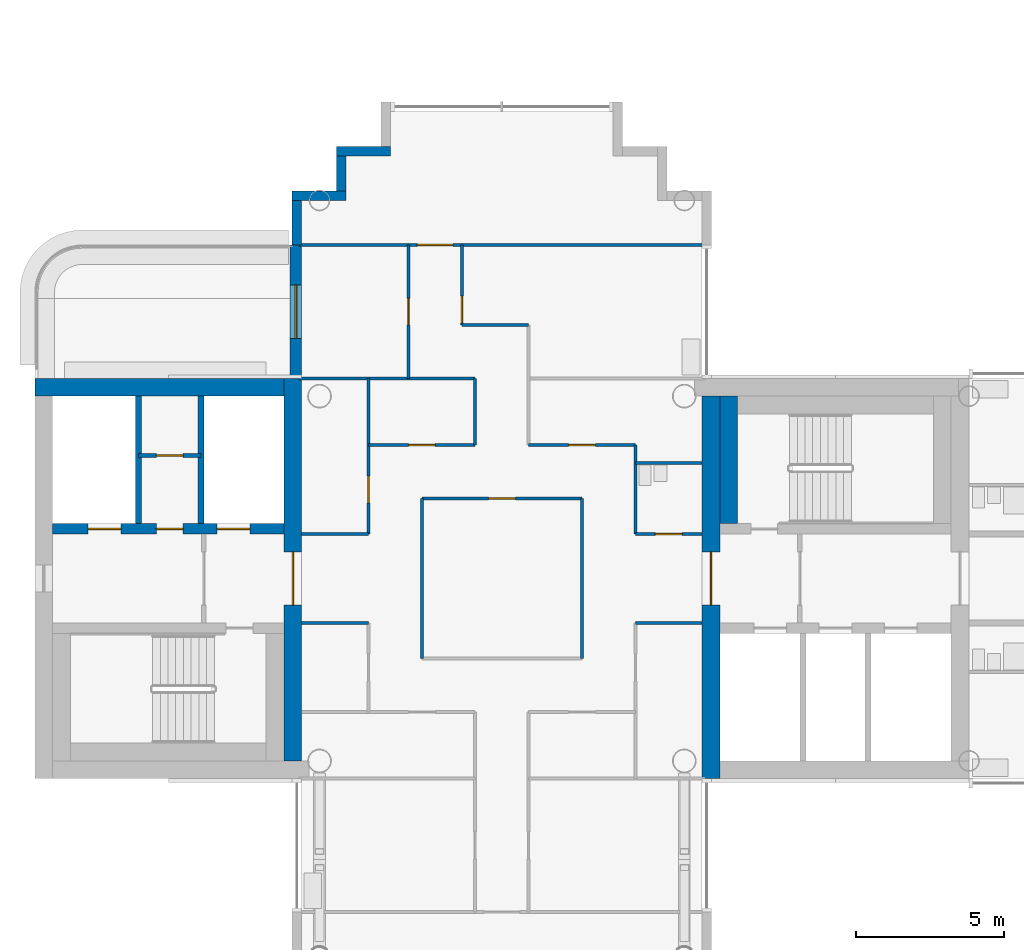
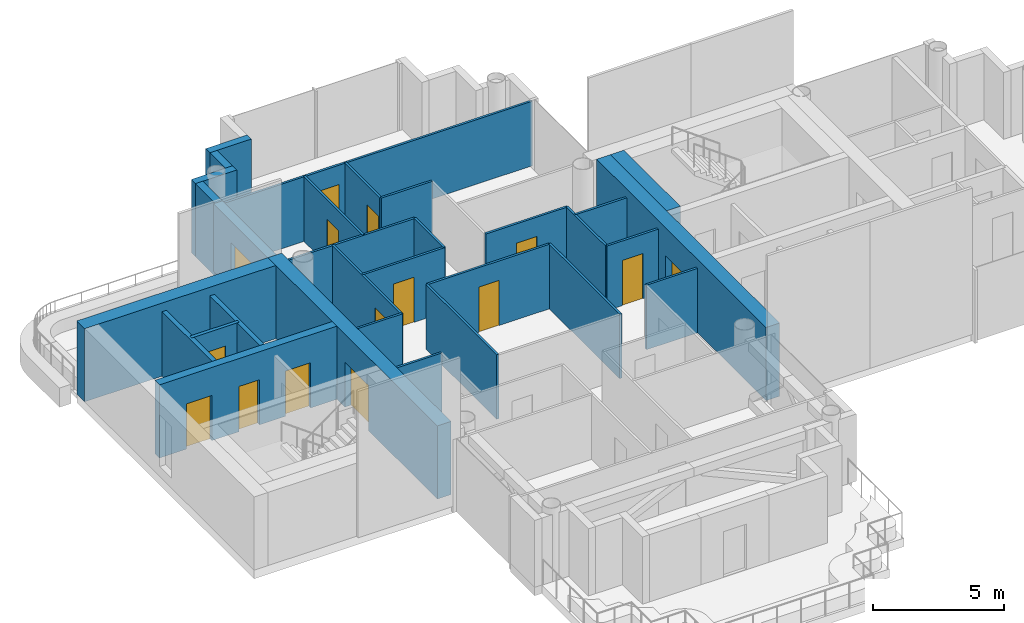
# One storey, part 8 of 19: 31 walls, 15 doors, 15 openings.
"""IFC4 building model written with IfcOpenShell, lengths in metres."""

from ifc_helpers import new_model, si_unit, direction, frame, frame_2d, origin, place, context, subcontext, project, spatial, rectangle, extrude, material, layer, layer_set, type_object, element, fill, save


model = new_model("IFC4")

# Units and contexts
model_context = context("Model", 3, precision=1e-05, world=origin(), true_north=direction((0.0, 1.0)))
body_context = subcontext(model_context, "Body", "Model", "MODEL_VIEW")
ifc_project = project(units=[si_unit("LENGTHUNIT", "METRE"), si_unit("AREAUNIT", "SQUARE_METRE"), si_unit("VOLUMEUNIT", "CUBIC_METRE"), si_unit("PLANEANGLEUNIT", "RADIAN"), si_unit("MASSUNIT", "GRAM", prefix="KILO")], contexts=[model_context])

# Site, building, storey
site_placement = place(None, origin())
site = spatial("IfcSite", under=ifc_project, at=site_placement, CompositionType="ELEMENT")
building_placement = place(site_placement, origin())
building = spatial("IfcBuilding", under=site, at=building_placement, Name="Ipe Terrace Towers", CompositionType="ELEMENT")
storey_placement = place(building_placement, frame((0.0, 0.0, 185.800048828125)))
storey = spatial("IfcBuildingStorey", under=building, at=storey_placement, Name="L51", CompositionType="ELEMENT", Elevation=185.800048828125)

# Wall, opening, door
ifc_material_1 = material(Name="Concrete C40/50 with buff precast cladding", Category="concrete")
ifc_layer_1 = layer(ifc_material_1, 0.39990234375)
ifc_layer_set_1 = layer_set([ifc_layer_1], Name="BALCONY BAY WALL 400")
wall_type_1 = type_object("IfcWallType", Name="BALCONY BAY WALL 400", PredefinedType="STANDARD", material=ifc_layer_set_1)
wall_1_placement = place(storey_placement, frame((-42.949951171875, 11.25, -0.02001953125), z_axis=(0.0, 0.0, 1.0), x_axis=(0.0, -1.0, 0.0)))
wall_1 = element("IfcWall", 1, at=wall_1_placement, inside=storey, type_object=wall_type_1, Name="T1-W-L51-40a wall", PredefinedType="STANDARD", context=body_context, shape_type="SweptSolid", body=[
    extrude(rectangle(XDim=4.5, YDim=0.39990234375, at=frame_2d((2.25, 0.0))), origin(), (0.0, 0.0, 1.0), 3.119873046875),
])
opening_1_placement = place(wall_1_placement, frame((1.35009765625, 0.0, 0.02001953125)))
opening_1 = element("IfcOpeningElement", 2, at=opening_1_placement, cuts=wall_1, Name="Opening T1-D-L51-40", PredefinedType="OPENING", context=body_context, shape_type="SweptSolid", body=[
    extrude(rectangle(XDim=1.800048828125, YDim=2.10009765625, at=frame_2d((0.89990234375, 1.050048828125))), frame((0.0, 0.2099609375, 0.0), z_axis=(0.0, -1.0, 0.0), x_axis=(1.0, 0.0, 0.0)), (0.0, 0.0, 1.0), 0.419921875),
])
ifc_material_2 = material(Name="Aluminium alloy 6063-T6 framed glazed door", Category="aluminium")
door_type_1 = type_object("IfcDoorType", Name="BALCONY DOOR 1800 x 2100 LEFT", OperationType="SINGLE_SWING_LEFT", PredefinedType="DOOR", material=ifc_material_2)
door_1_placement = place(opening_1_placement, origin())
door_1 = element("IfcDoor", 3, at=door_1_placement, inside=storey, type_object=door_type_1, Name="DB1 door", OperationType="SINGLE_SWING_LEFT", OverallHeight=2.10009765625, OverallWidth=1.800048828125, PredefinedType="DOOR", context=body_context, shape_type="SweptSolid", body=[
    extrude(rectangle(XDim=1.800048828125, YDim=2.10009765625, at=frame_2d((0.89990234375, 1.050048828125))), frame((0.0, 0.02490234375, 0.0), z_axis=(0.0, -1.0, 0.0), x_axis=(1.0, 0.0, 0.0)), (0.0, 0.0, 1.0), 0.050048828125),
])
fill(opening_1, door_1)

# Walls
ifc_material_3 = material(Name="Concrete C40/50 with buff precast cladding", Category="concrete")
ifc_layer_2 = layer(ifc_material_3, 0.320068359375)
ifc_layer_set_2 = layer_set([ifc_layer_2], Name="BUFF CLADDING WALL 320")
wall_type_2 = type_object("IfcWallType", Name="BUFF CLADDING WALL 320", PredefinedType="STANDARD", material=ifc_layer_set_2)
wall_2_placement = place(storey_placement, frame((-39.75, 14.409912109375, -0.300048828125), z_axis=(0.0, 0.0, 1.0), x_axis=(-1.0, 0.0, 0.0)))
element("IfcWall", 4, at=wall_2_placement, inside=storey, type_object=wall_type_2, Name="T1-W-L51-36a wall", PredefinedType="STANDARD", context=body_context, shape_type="SweptSolid", body=[
    extrude(rectangle(XDim=1.820068359375, YDim=0.320068359375, at=frame_2d((0.91015625, 0.0))), origin(), (0.0, 0.0, 1.0), 3.39990234375),
])
wall_3_placement = place(storey_placement, frame((-41.409912109375, 14.25, -0.300048828125), z_axis=(0.0, 0.0, 1.0), x_axis=(0.0, -1.0, 0.0)))
element("IfcWall", 5, at=wall_3_placement, inside=storey, type_object=wall_type_2, Name="T1-W-L51-37a wall", PredefinedType="STANDARD", context=body_context, shape_type="SweptSolid", body=[
    extrude(rectangle(XDim=1.179931640625, YDim=0.320068359375, at=frame_2d((0.58984375, 0.0))), origin(), (0.0, 0.0, 1.0), 3.39990234375),
])
wall_4_placement = place(storey_placement, frame((-41.25, 12.909912109375, -0.300048828125), z_axis=(0.0, 0.0, 1.0), x_axis=(-1.0, 0.0, 0.0)))
element("IfcWall", 6, at=wall_4_placement, inside=storey, type_object=wall_type_2, Name="T1-W-L51-38a wall", PredefinedType="STANDARD", context=body_context, shape_type="SweptSolid", body=[
    extrude(rectangle(XDim=1.820068359375, YDim=0.320068359375, at=frame_2d((0.91015625, 0.0))), origin(), (0.0, 0.0, 1.0), 3.39990234375),
])
wall_5_placement = place(storey_placement, frame((-42.909912109375, 12.75, -0.300048828125), z_axis=(0.0, 0.0, 1.0), x_axis=(0.0, -1.0, 0.0)))
element("IfcWall", 7, at=wall_5_placement, inside=storey, type_object=wall_type_2, Name="T1-W-L51-39a wall", PredefinedType="STANDARD", context=body_context, shape_type="SweptSolid", body=[
    extrude(rectangle(XDim=1.5, YDim=0.320068359375, at=frame_2d((0.75, 0.0))), origin(), (0.0, 0.0, 1.0), 3.39990234375),
])

# Wall, opening, door
ifc_material_4 = material(Name="Gypsum board partition", Category="plasterboard")
ifc_layer_3 = layer(ifc_material_4, 0.10009765625)
ifc_layer_set_3 = layer_set([ifc_layer_3], Name="Gypsum board partition 100 mm")
wall_type_3 = type_object("IfcWallType", Name="Gypsum board partition 100 mm", PredefinedType="PARTITIONING", material=ifc_layer_set_3)
wall_6_placement = place(storey_placement, frame((-40.5, 1.5, 0.0), z_axis=(0.0, 0.0, 1.0), x_axis=(0.0, 1.0, 0.0)))
wall_6 = element("IfcWall", 8, at=wall_6_placement, inside=storey, type_object=wall_type_3, Name="Gypsum board partition T1 L51 W02", PredefinedType="PARTITIONING", context=body_context, shape_type="SweptSolid", body=[
    extrude(rectangle(XDim=5.25, YDim=0.10009765625, at=frame_2d((2.625, 0.0))), origin(), (0.0, 0.0, 1.0), 3.0),
])
opening_2_placement = place(wall_6_placement, frame((1.050048828125, 0.0, 0.0)))
opening_2 = element("IfcOpeningElement", 9, at=opening_2_placement, cuts=wall_6, Name="Opening T1-Z4C-05", PredefinedType="OPENING", context=body_context, shape_type="SweptSolid", body=[
    extrude(rectangle(XDim=0.89990234375, YDim=2.10009765625, at=frame_2d((0.449951171875, 1.050048828125))), frame((0.0, 0.06005859375, 0.0), z_axis=(0.0, -1.0, 0.0), x_axis=(1.0, 0.0, 0.0)), (0.0, 0.0, 1.0), 0.1201171875),
])
ifc_material_5 = material(Name="Timber door leaf", Category="wood")
door_type_2 = type_object("IfcDoorType", Name="Lounge door 900 x 2100", OperationType="NOTDEFINED", PredefinedType="DOOR", material=ifc_material_5)
door_2_placement = place(opening_2_placement, origin())
door_2 = element("IfcDoor", 10, at=door_2_placement, inside=storey, type_object=door_type_2, Name="Lounge door T1-Z4C-05", OperationType="SINGLE_SWING_RIGHT", OverallHeight=2.10009765625, OverallWidth=0.89990234375, PredefinedType="DOOR", context=body_context, shape_type="SweptSolid", body=[
    extrude(rectangle(XDim=0.89990234375, YDim=2.10009765625, at=frame_2d((0.449951171875, 1.050048828125))), frame((0.0, 0.02490234375, 0.0), z_axis=(0.0, -1.0, 0.0), x_axis=(1.0, 0.0, 0.0)), (0.0, 0.0, 1.0), 0.050048828125),
])
fill(opening_2, door_2)

wall_7_placement = place(storey_placement, frame((-39.14990234375, 6.75, 0.0), z_axis=(0.0, 0.0, 1.0), x_axis=(0.0, 1.0, 0.0)))
wall_7 = element("IfcWall", 11, at=wall_7_placement, inside=storey, type_object=wall_type_3, Name="Gypsum board partition T1 L51 W03", PredefinedType="PARTITIONING", context=body_context, shape_type="SweptSolid", body=[
    extrude(rectangle(XDim=4.5, YDim=0.10009765625, at=frame_2d((2.25, 0.0))), origin(), (0.0, 0.0, 1.0), 3.0),
])
opening_3_placement = place(wall_7_placement, frame((1.800048828125, 0.0, 0.0)))
opening_3 = element("IfcOpeningElement", 12, at=opening_3_placement, cuts=wall_7, Name="Opening T1-Z4C-10", PredefinedType="OPENING", context=body_context, shape_type="SweptSolid", body=[
    extrude(rectangle(XDim=0.89990234375, YDim=2.10009765625, at=frame_2d((0.449951171875, 1.050048828125))), frame((0.0, 0.06005859375, 0.0), z_axis=(0.0, -1.0, 0.0), x_axis=(1.0, 0.0, 0.0)), (0.0, 0.0, 1.0), 0.1201171875),
])
door_3_placement = place(opening_3_placement, origin())
door_3 = element("IfcDoor", 13, at=door_3_placement, inside=storey, type_object=door_type_2, Name="Lounge door T1-Z4C-10", OperationType="SINGLE_SWING_LEFT", OverallHeight=2.10009765625, OverallWidth=0.89990234375, PredefinedType="DOOR", context=body_context, shape_type="SweptSolid", body=[
    extrude(rectangle(XDim=0.89990234375, YDim=2.10009765625, at=frame_2d((0.449951171875, 1.050048828125))), frame((0.0, 0.02490234375, 0.0), z_axis=(0.0, -1.0, 0.0), x_axis=(1.0, 0.0, 0.0)), (0.0, 0.0, 1.0), 0.050048828125),
])
fill(opening_3, door_3)

# Wall
wall_8_placement = place(storey_placement, frame((-38.699951171875, -2.699951171875, 0.0), z_axis=(0.0, 0.0, 1.0), x_axis=(0.0, 1.0, 0.0)))
element("IfcWall", 14, at=wall_8_placement, inside=storey, type_object=wall_type_3, Name="Gypsum board partition T1 L51 W04", PredefinedType="PARTITIONING", context=body_context, shape_type="SweptSolid", body=[
    extrude(rectangle(XDim=5.39990234375, YDim=0.10009765625, at=frame_2d((2.699951171875, 0.0))), origin(), (0.0, 0.0, 1.0), 3.0),
])

# Wall, opening, door
wall_9_placement = place(storey_placement, frame((-37.35009765625, 8.550048828125, 0.0), z_axis=(0.0, 0.0, 1.0), x_axis=(0.0, 1.0, 0.0)))
wall_9 = element("IfcWall", 15, at=wall_9_placement, inside=storey, type_object=wall_type_3, Name="Gypsum board partition T1 L51 W05", PredefinedType="PARTITIONING", context=body_context, shape_type="SweptSolid", body=[
    extrude(rectangle(XDim=2.699951171875, YDim=0.10009765625, at=frame_2d((1.35009765625, 0.0))), origin(), (0.0, 0.0, 1.0), 3.0),
])
opening_4_placement = place(wall_9_placement, frame((0.070068359375, 0.0, 0.0)))
opening_4 = element("IfcOpeningElement", 16, at=opening_4_placement, cuts=wall_9, Name="Opening T1-Z4C-11", PredefinedType="OPENING", context=body_context, shape_type="SweptSolid", body=[
    extrude(rectangle(XDim=0.89990234375, YDim=2.10009765625, at=frame_2d((0.449951171875, 1.050048828125))), frame((0.0, 0.06005859375, 0.0), z_axis=(0.0, -1.0, 0.0), x_axis=(1.0, 0.0, 0.0)), (0.0, 0.0, 1.0), 0.1201171875),
])
door_4_placement = place(opening_4_placement, origin())
door_4 = element("IfcDoor", 17, at=door_4_placement, inside=storey, type_object=door_type_2, Name="Lounge door T1-Z4C-11", OperationType="SINGLE_SWING_LEFT", OverallHeight=2.10009765625, OverallWidth=0.89990234375, PredefinedType="DOOR", context=body_context, shape_type="SweptSolid", body=[
    extrude(rectangle(XDim=0.89990234375, YDim=2.10009765625, at=frame_2d((0.449951171875, 1.050048828125))), frame((0.0, 0.02490234375, 0.0), z_axis=(0.0, -1.0, 0.0), x_axis=(1.0, 0.0, 0.0)), (0.0, 0.0, 1.0), 0.050048828125),
])
fill(opening_4, door_4)

# Walls
wall_10_placement = place(storey_placement, frame((-36.89990234375, 4.5, 0.0), z_axis=(0.0, 0.0, 1.0), x_axis=(0.0, 1.0, 0.0)))
element("IfcWall", 18, at=wall_10_placement, inside=storey, type_object=wall_type_3, Name="Gypsum board partition T1 L51 W07", PredefinedType="PARTITIONING", context=body_context, shape_type="SweptSolid", body=[
    extrude(rectangle(XDim=2.25, YDim=0.10009765625, at=frame_2d((1.125, 0.0))), origin(), (0.0, 0.0, 1.0), 3.0),
])
wall_11_placement = place(storey_placement, frame((-33.300048828125, -2.699951171875, 0.0), z_axis=(0.0, 0.0, 1.0), x_axis=(0.0, 1.0, 0.0)))
element("IfcWall", 19, at=wall_11_placement, inside=storey, type_object=wall_type_3, Name="Gypsum board partition T1 L51 W10", PredefinedType="PARTITIONING", context=body_context, shape_type="SweptSolid", body=[
    extrude(rectangle(XDim=5.39990234375, YDim=0.10009765625, at=frame_2d((2.699951171875, 0.0))), origin(), (0.0, 0.0, 1.0), 3.0),
])
wall_12_placement = place(storey_placement, frame((-31.5, 1.5, 0.0), z_axis=(0.0, 0.0, 1.0), x_axis=(0.0, 1.0, 0.0)))
element("IfcWall", 20, at=wall_12_placement, inside=storey, type_object=wall_type_3, Name="Gypsum board partition T1 L51 W12", PredefinedType="PARTITIONING", context=body_context, shape_type="SweptSolid", body=[
    extrude(rectangle(XDim=3.0, YDim=0.10009765625, at=frame_2d((1.5, 0.0))), origin(), (0.0, 0.0, 1.0), 3.0),
])
for number, where, z_axis, x_axis, name in (
    (21, (-42.75, -1.5, 0.0), (0.0, 0.0, 1.0), (1.0, 0.0, 0.0), "Gypsum board partition T1 L51 W25"),
    (22, (-31.5, -1.5, 0.0), (0.0, 0.0, 1.0), (1.0, 0.0, 0.0), "Gypsum board partition T1 L51 W26"),
    (23, (-42.75, 1.5, 0.0), (0.0, 0.0, 1.0), (1.0, 0.0, 0.0), "Gypsum board partition T1 L51 W28"),
):
    element("IfcWall", number, at=place(storey_placement, frame(where, z_axis=z_axis, x_axis=x_axis)), inside=storey, type_object=wall_type_3, Name=name, PredefinedType="PARTITIONING", context=body_context, shape_type="SweptSolid", body=[
        extrude(rectangle(XDim=2.25, YDim=0.10009765625, at=frame_2d((1.125, 0.0))), origin(), (0.0, 0.0, 1.0), 3.0),
    ])

# Wall, opening, door
wall_13_placement = place(storey_placement, frame((-31.5, 1.5, 0.0), z_axis=(0.0, 0.0, 1.0), x_axis=(1.0, 0.0, 0.0)))
wall_13 = element("IfcWall", 24, at=wall_13_placement, inside=storey, type_object=wall_type_3, Name="Gypsum board partition T1 L51 W29", PredefinedType="PARTITIONING", context=body_context, shape_type="SweptSolid", body=[
    extrude(rectangle(XDim=2.25, YDim=0.10009765625, at=frame_2d((1.125, 0.0))), origin(), (0.0, 0.0, 1.0), 3.0),
])
opening_5_placement = place(wall_13_placement, frame((0.675048828125, 0.0, 0.0)))
opening_5 = element("IfcOpeningElement", 25, at=opening_5_placement, cuts=wall_13, Name="Opening T1-Z4C-02", PredefinedType="OPENING", context=body_context, shape_type="SweptSolid", body=[
    extrude(rectangle(XDim=0.89990234375, YDim=2.10009765625, at=frame_2d((0.449951171875, 1.050048828125))), frame((0.0, 0.06005859375, 0.0), z_axis=(0.0, -1.0, 0.0), x_axis=(1.0, 0.0, 0.0)), (0.0, 0.0, 1.0), 0.1201171875),
])
ifc_material_6 = material(Name="Timber door leaf", Category="wood")
door_type_3 = type_object("IfcDoorType", Name="Bathroom door 900 x 2100", OperationType="NOTDEFINED", PredefinedType="DOOR", material=ifc_material_6)
door_5_placement = place(opening_5_placement, origin())
door_5 = element("IfcDoor", 26, at=door_5_placement, inside=storey, type_object=door_type_3, Name="Bathroom door T1-Z4C-02", OperationType="SINGLE_SWING_LEFT", OverallHeight=2.10009765625, OverallWidth=0.89990234375, PredefinedType="DOOR", context=body_context, shape_type="SweptSolid", body=[
    extrude(rectangle(XDim=0.89990234375, YDim=2.10009765625, at=frame_2d((0.449951171875, 1.050048828125))), frame((0.0, 0.02490234375, 0.0), z_axis=(0.0, -1.0, 0.0), x_axis=(1.0, 0.0, 0.0)), (0.0, 0.0, 1.0), 0.050048828125),
])
fill(opening_5, door_5)

wall_14_placement = place(storey_placement, frame((-38.699951171875, 2.699951171875, 0.0), z_axis=(0.0, 0.0, 1.0), x_axis=(1.0, 0.0, 0.0)))
wall_14 = element("IfcWall", 27, at=wall_14_placement, inside=storey, type_object=wall_type_3, Name="Gypsum board partition T1 L51 W31", PredefinedType="PARTITIONING", context=body_context, shape_type="SweptSolid", body=[
    extrude(rectangle(XDim=5.39990234375, YDim=0.10009765625, at=frame_2d((2.699951171875, 0.0))), origin(), (0.0, 0.0, 1.0), 3.0),
])
opening_6_placement = place(wall_14_placement, frame((2.25, 0.0, 0.0)))
opening_6 = element("IfcOpeningElement", 28, at=opening_6_placement, cuts=wall_14, Name="Opening T1-Z4C-01", PredefinedType="OPENING", context=body_context, shape_type="SweptSolid", body=[
    extrude(rectangle(XDim=0.89990234375, YDim=2.10009765625, at=frame_2d((0.449951171875, 1.050048828125))), frame((0.0, 0.06005859375, 0.0), z_axis=(0.0, -1.0, 0.0), x_axis=(1.0, 0.0, 0.0)), (0.0, 0.0, 1.0), 0.1201171875),
])
door_6_placement = place(opening_6_placement, origin())
door_6 = element("IfcDoor", 29, at=door_6_placement, inside=storey, type_object=door_type_2, Name="Lounge door T1-Z4C-01", OperationType="SINGLE_SWING_RIGHT", OverallHeight=2.10009765625, OverallWidth=0.89990234375, PredefinedType="DOOR", context=body_context, shape_type="SweptSolid", body=[
    extrude(rectangle(XDim=0.89990234375, YDim=2.10009765625, at=frame_2d((0.449951171875, 1.050048828125))), frame((0.0, 0.02490234375, 0.0), z_axis=(0.0, -1.0, 0.0), x_axis=(1.0, 0.0, 0.0)), (0.0, 0.0, 1.0), 0.050048828125),
])
fill(opening_6, door_6)

# Wall
wall_15_placement = place(storey_placement, frame((-31.5, 3.89990234375, 0.0), z_axis=(0.0, 0.0, 1.0), x_axis=(1.0, 0.0, 0.0)))
element("IfcWall", 30, at=wall_15_placement, inside=storey, type_object=wall_type_3, Name="Gypsum board partition T1 L51 W33", PredefinedType="PARTITIONING", context=body_context, shape_type="SweptSolid", body=[
    extrude(rectangle(XDim=2.25, YDim=0.10009765625, at=frame_2d((1.125, 0.0))), origin(), (0.0, 0.0, 1.0), 3.0),
])

# Wall, opening, door
wall_16_placement = place(storey_placement, frame((-40.5, 4.5, 0.0), z_axis=(0.0, 0.0, 1.0), x_axis=(1.0, 0.0, 0.0)))
wall_16 = element("IfcWall", 31, at=wall_16_placement, inside=storey, type_object=wall_type_3, Name="Gypsum board partition T1 L51 W34", PredefinedType="PARTITIONING", context=body_context, shape_type="SweptSolid", body=[
    extrude(rectangle(XDim=3.60009765625, YDim=0.10009765625, at=frame_2d((1.800048828125, 0.0))), origin(), (0.0, 0.0, 1.0), 3.0),
])
opening_7_placement = place(wall_16_placement, frame((1.35009765625, 0.0, 0.0)))
opening_7 = element("IfcOpeningElement", 32, at=opening_7_placement, cuts=wall_16, Name="Opening T1-Z4C-04", PredefinedType="OPENING", context=body_context, shape_type="SweptSolid", body=[
    extrude(rectangle(XDim=0.89990234375, YDim=2.10009765625, at=frame_2d((0.449951171875, 1.050048828125))), frame((0.0, 0.06005859375, 0.0), z_axis=(0.0, -1.0, 0.0), x_axis=(1.0, 0.0, 0.0)), (0.0, 0.0, 1.0), 0.1201171875),
])
door_7_placement = place(opening_7_placement, origin())
door_7 = element("IfcDoor", 33, at=door_7_placement, inside=storey, type_object=door_type_2, Name="Lounge door T1-Z4C-04", OperationType="SINGLE_SWING_RIGHT", OverallHeight=2.10009765625, OverallWidth=0.89990234375, PredefinedType="DOOR", context=body_context, shape_type="SweptSolid", body=[
    extrude(rectangle(XDim=0.89990234375, YDim=2.10009765625, at=frame_2d((0.449951171875, 1.050048828125))), frame((0.0, 0.02490234375, 0.0), z_axis=(0.0, -1.0, 0.0), x_axis=(1.0, 0.0, 0.0)), (0.0, 0.0, 1.0), 0.050048828125),
])
fill(opening_7, door_7)

wall_17_placement = place(storey_placement, frame((-35.10009765625, 4.5, 0.0), z_axis=(0.0, 0.0, 1.0), x_axis=(1.0, 0.0, 0.0)))
wall_17 = element("IfcWall", 34, at=wall_17_placement, inside=storey, type_object=wall_type_3, Name="Gypsum board partition T1 L51 W35", PredefinedType="PARTITIONING", context=body_context, shape_type="SweptSolid", body=[
    extrude(rectangle(XDim=3.60009765625, YDim=0.10009765625, at=frame_2d((1.800048828125, 0.0))), origin(), (0.0, 0.0, 1.0), 3.0),
])
opening_8_placement = place(wall_17_placement, frame((1.35009765625, 0.0, 0.0)))
opening_8 = element("IfcOpeningElement", 35, at=opening_8_placement, cuts=wall_17, Name="Opening T1-Z4C-03", PredefinedType="OPENING", context=body_context, shape_type="SweptSolid", body=[
    extrude(rectangle(XDim=0.89990234375, YDim=2.10009765625, at=frame_2d((0.449951171875, 1.050048828125))), frame((0.0, 0.06005859375, 0.0), z_axis=(0.0, -1.0, 0.0), x_axis=(1.0, 0.0, 0.0)), (0.0, 0.0, 1.0), 0.1201171875),
])
door_8_placement = place(opening_8_placement, origin())
door_8 = element("IfcDoor", 36, at=door_8_placement, inside=storey, type_object=door_type_2, Name="Lounge door T1-Z4C-03", OperationType="SINGLE_SWING_LEFT", OverallHeight=2.10009765625, OverallWidth=0.89990234375, PredefinedType="DOOR", context=body_context, shape_type="SweptSolid", body=[
    extrude(rectangle(XDim=0.89990234375, YDim=2.10009765625, at=frame_2d((0.449951171875, 1.050048828125))), frame((0.0, 0.02490234375, 0.0), z_axis=(0.0, -1.0, 0.0), x_axis=(1.0, 0.0, 0.0)), (0.0, 0.0, 1.0), 0.050048828125),
])
fill(opening_8, door_8)

# Walls
wall_18_placement = place(storey_placement, frame((-42.85009765625, 6.75, 0.0), z_axis=(0.0, 0.0, 1.0), x_axis=(1.0, 0.0, 0.0)))
element("IfcWall", 37, at=wall_18_placement, inside=storey, type_object=wall_type_3, Name="Gypsum board partition T1 L51 W36", PredefinedType="PARTITIONING", context=body_context, shape_type="SweptSolid", body=[
    extrude(rectangle(XDim=5.9501953125, YDim=0.10009765625, at=frame_2d((2.97509765625, 0.0))), origin(), (0.0, 0.0, 1.0), 3.0),
])
wall_19_placement = place(storey_placement, frame((-37.35009765625, 8.550048828125, 0.0), z_axis=(0.0, 0.0, 1.0), x_axis=(1.0, 0.0, 0.0)))
element("IfcWall", 38, at=wall_19_placement, inside=storey, type_object=wall_type_3, Name="Gypsum board partition T1 L51 W38", PredefinedType="PARTITIONING", context=body_context, shape_type="SweptSolid", body=[
    extrude(rectangle(XDim=2.25, YDim=0.10009765625, at=frame_2d((1.125, 0.0))), origin(), (0.0, 0.0, 1.0), 3.0),
])

# Wall, opening, door
wall_20_placement = place(storey_placement, frame((-42.85009765625, 11.25, 0.0), z_axis=(0.0, 0.0, 1.0), x_axis=(1.0, 0.0, 0.0)))
wall_20 = element("IfcWall", 39, at=wall_20_placement, inside=storey, type_object=wall_type_3, Name="Gypsum board partition T1 L51 W39", PredefinedType="PARTITIONING", context=body_context, shape_type="SweptSolid", body=[
    extrude(rectangle(XDim=13.7001953125, YDim=0.10009765625, at=frame_2d((6.85009765625, 0.0))), origin(), (0.0, 0.0, 1.0), 3.0),
])
opening_9_placement = place(wall_20_placement, frame((4.0, 0.0, 0.0)))
opening_9 = element("IfcOpeningElement", 40, at=opening_9_placement, cuts=wall_20, Name="Opening T1-Z4C-12", PredefinedType="OPENING", context=body_context, shape_type="SweptSolid", body=[
    extrude(rectangle(XDim=1.199951171875, YDim=2.10009765625, at=frame_2d((0.60009765625, 1.050048828125))), frame((0.0, 0.06005859375, 0.0), z_axis=(0.0, -1.0, 0.0), x_axis=(1.0, 0.0, 0.0)), (0.0, 0.0, 1.0), 0.1201171875),
])
ifc_material_7 = material(Name="Timber door leaf", Category="wood")
door_type_4 = type_object("IfcDoorType", Name="Lounge door 1200 x 2100", OperationType="NOTDEFINED", PredefinedType="DOOR", material=ifc_material_7)
door_9_placement = place(opening_9_placement, origin())
door_9 = element("IfcDoor", 41, at=door_9_placement, inside=storey, type_object=door_type_4, Name="Lounge door T1-Z4C-12", OperationType="SINGLE_SWING_RIGHT", OverallHeight=2.10009765625, OverallWidth=1.199951171875, PredefinedType="DOOR", context=body_context, shape_type="SweptSolid", body=[
    extrude(rectangle(XDim=1.199951171875, YDim=2.10009765625, at=frame_2d((0.60009765625, 1.050048828125))), frame((0.0, 0.02490234375, 0.0), z_axis=(0.0, -1.0, 0.0), x_axis=(1.0, 0.0, 0.0)), (0.0, 0.0, 1.0), 0.050048828125),
])
fill(opening_9, door_9)

ifc_material_8 = material(Name="Gypsum board partition", Category="plasterboard")
ifc_layer_4 = layer(ifc_material_8, 0.14990234375)
ifc_layer_set_4 = layer_set([ifc_layer_4], Name="Gypsum board partition 150 mm")
wall_type_4 = type_object("IfcWallType", Name="Gypsum board partition 150 mm", PredefinedType="PARTITIONING", material=ifc_layer_set_4)
wall_21_placement = place(storey_placement, frame((-46.14990234375, 4.14990234375, 0.0), z_axis=(0.0, 0.0, 1.0), x_axis=(-1.0, 0.0, 0.0)))
wall_21 = element("IfcWall", 42, at=wall_21_placement, inside=storey, type_object=wall_type_4, Name="Gypsum board partition T1 L51 t1c2-q-back", PredefinedType="PARTITIONING", context=body_context, shape_type="SweptSolid", body=[
    extrude(rectangle(XDim=2.10009765625, YDim=0.14990234375, at=frame_2d((1.050048828125, 0.0))), origin(), (0.0, 0.0, 1.0), 3.0),
])
opening_10_placement = place(wall_21_placement, frame((0.60009765625, 0.0, 0.0)))
opening_10 = element("IfcOpeningElement", 43, at=opening_10_placement, cuts=wall_21, Name="Opening T1C2-RB-FD30S", PredefinedType="OPENING", context=body_context, shape_type="SweptSolid", body=[
    extrude(rectangle(XDim=0.89990234375, YDim=2.10009765625, at=frame_2d((0.449951171875, 1.050048828125))), frame((0.0, 0.0849609375, 0.0), z_axis=(0.0, -1.0, 0.0), x_axis=(1.0, 0.0, 0.0)), (0.0, 0.0, 1.0), 0.169921875),
])
ifc_material_9 = material(Name="Fire-rated timber door leaf", Category="wood")
door_type_5 = type_object("IfcDoorType", Name="Service door 900 x 2100 FD30S", OperationType="NOTDEFINED", PredefinedType="DOOR", material=ifc_material_9)
door_10_placement = place(opening_10_placement, origin())
door_10 = element("IfcDoor", 44, at=door_10_placement, inside=storey, type_object=door_type_5, Name="Service door T1C2-RB-FD30S", OperationType="SINGLE_SWING_LEFT", OverallHeight=2.10009765625, OverallWidth=0.89990234375, PredefinedType="DOOR", context=body_context, shape_type="SweptSolid", body=[
    extrude(rectangle(XDim=0.89990234375, YDim=2.10009765625, at=frame_2d((0.449951171875, 1.050048828125))), frame((0.0, 0.02490234375, 0.0), z_axis=(0.0, -1.0, 0.0), x_axis=(1.0, 0.0, 0.0)), (0.0, 0.0, 1.0), 0.050048828125),
])
fill(opening_10, door_10)

# Walls
ifc_material_10 = material(Name="Gypsum board party wall", Category="plasterboard")
ifc_layer_5 = layer(ifc_material_10, 0.199951171875)
ifc_layer_set_5 = layer_set([ifc_layer_5], Name="Gypsum board party wall 200 mm")
wall_type_5 = type_object("IfcWallType", Name="Gypsum board party wall 200 mm", PredefinedType="SOLIDWALL", material=ifc_layer_set_5)
for number, where, z_axis, x_axis, name in (
    (45, (-48.25, 6.14990234375, 0.0), (0.0, 0.0, 1.0), (0.0, -1.0, 0.0), "Gypsum board party wall T1 L51 t1c2-shaft-div2"),
    (46, (-46.14990234375, 6.14990234375, 0.0), (0.0, 0.0, 1.0), (0.0, -1.0, 0.0), "Gypsum board party wall T1 L51 t1c2-shaft-div1"),
):
    element("IfcWall", number, at=place(storey_placement, frame(where, z_axis=z_axis, x_axis=x_axis)), inside=storey, type_object=wall_type_5, Name=name, PredefinedType="SOLIDWALL", context=body_context, shape_type="SweptSolid", body=[
        extrude(rectangle(XDim=4.2998046875, YDim=0.199951171875, at=frame_2d((2.14990234375, 0.0))), origin(), (0.0, 0.0, 1.0), 3.0),
    ])

# Wall, openings, doors
ifc_material_11 = material(Name="Concrete C40/50", Category="concrete")
ifc_layer_6 = layer(ifc_material_11, 0.35009765625)
ifc_layer_set_6 = layer_set([ifc_layer_6], Name="RW350 CORE SPINE WALL 350 C40-50")
wall_type_6 = type_object("IfcWallType", Name="RW350 CORE SPINE WALL 350 C40-50", PredefinedType="SHEAR", material=ifc_layer_set_6)
wall_22_placement = place(storey_placement, frame((-51.14990234375, 1.675048828125, 0.0), z_axis=(0.0, 0.0, 1.0), x_axis=(1.0, 0.0, 0.0)))
wall_22 = element("IfcWall", 47, at=wall_22_placement, inside=storey, type_object=wall_type_6, Name="Core spine wall T1-C2-Z4-SW2", PredefinedType="SHEAR", context=body_context, shape_type="SweptSolid", body=[
    extrude(rectangle(XDim=7.7998046875, YDim=0.35009765625, at=frame_2d((3.89990234375, 0.0))), origin(), (0.0, 0.0, 1.0), 3.39990234375),
])
opening_11_placement = place(wall_22_placement, frame((5.550048828125, 0.0, 0.0)))
opening_11 = element("IfcOpeningElement", 48, at=opening_11_placement, cuts=wall_22, Name="Opening T1C2-LD1", PredefinedType="OPENING", context=body_context, shape_type="SweptSolid", body=[
    extrude(rectangle(XDim=1.10009765625, YDim=2.10009765625, at=frame_2d((0.550048828125, 1.050048828125))), frame((0.0, 0.18505859375, 0.0), z_axis=(0.0, -1.0, 0.0), x_axis=(1.0, 0.0, 0.0)), (0.0, 0.0, 1.0), 0.3701171875),
])
opening_12_placement = place(wall_22_placement, frame((1.199951171875, 0.0, 0.0)))
opening_12 = element("IfcOpeningElement", 49, at=opening_12_placement, cuts=wall_22, Name="Opening T1C2-LD3", PredefinedType="OPENING", context=body_context, shape_type="SweptSolid", body=[
    extrude(rectangle(XDim=1.10009765625, YDim=2.10009765625, at=frame_2d((0.550048828125, 1.050048828125))), frame((0.0, 0.18505859375, 0.0), z_axis=(0.0, -1.0, 0.0), x_axis=(1.0, 0.0, 0.0)), (0.0, 0.0, 1.0), 0.3701171875),
])
opening_13_placement = place(wall_22_placement, frame((3.5, 0.0, 0.0)))
opening_13 = element("IfcOpeningElement", 50, at=opening_13_placement, cuts=wall_22, Name="Opening T1C2-R1-NR", PredefinedType="OPENING", context=body_context, shape_type="SweptSolid", body=[
    extrude(rectangle(XDim=0.89990234375, YDim=2.10009765625, at=frame_2d((0.449951171875, 1.050048828125))), frame((0.0, 0.18505859375, 0.0), z_axis=(0.0, -1.0, 0.0), x_axis=(1.0, 0.0, 0.0)), (0.0, 0.0, 1.0), 0.3701171875),
])
ifc_material_12 = material(Name="Fire-rated timber door leaf", Category="wood")
door_type_6 = type_object("IfcDoorType", Name="Sliding door 1100 x 2100 FD60", OperationType="SLIDING_TO_LEFT", PredefinedType="DOOR", material=ifc_material_12)
door_11_placement = place(opening_11_placement, origin())
door_11 = element("IfcDoor", 51, at=door_11_placement, inside=storey, type_object=door_type_6, Name="Sliding door T1C2-LD1", OperationType="SLIDING_TO_LEFT", OverallHeight=2.10009765625, OverallWidth=1.10009765625, PredefinedType="DOOR", context=body_context, shape_type="SweptSolid", body=[
    extrude(rectangle(XDim=1.10009765625, YDim=2.10009765625, at=frame_2d((0.550048828125, 1.050048828125))), frame((0.0, 0.02490234375, 0.0), z_axis=(0.0, -1.0, 0.0), x_axis=(1.0, 0.0, 0.0)), (0.0, 0.0, 1.0), 0.050048828125),
])
fill(opening_11, door_11)
door_12_placement = place(opening_12_placement, origin())
door_12 = element("IfcDoor", 52, at=door_12_placement, inside=storey, type_object=door_type_6, Name="Sliding door T1C2-LD3", OperationType="SLIDING_TO_LEFT", OverallHeight=2.10009765625, OverallWidth=1.10009765625, PredefinedType="DOOR", context=body_context, shape_type="SweptSolid", body=[
    extrude(rectangle(XDim=1.10009765625, YDim=2.10009765625, at=frame_2d((0.550048828125, 1.050048828125))), frame((0.0, 0.02490234375, 0.0), z_axis=(0.0, -1.0, 0.0), x_axis=(1.0, 0.0, 0.0)), (0.0, 0.0, 1.0), 0.050048828125),
])
fill(opening_12, door_12)
ifc_material_13 = material(Name="Timber door leaf", Category="wood")
door_type_7 = type_object("IfcDoorType", Name="Store door 900 x 2100", OperationType="NOTDEFINED", PredefinedType="DOOR", material=ifc_material_13)
door_13_placement = place(opening_13_placement, origin())
door_13 = element("IfcDoor", 53, at=door_13_placement, inside=storey, type_object=door_type_7, Name="Store door T1C2-R1-NR", OperationType="SINGLE_SWING_LEFT", OverallHeight=2.10009765625, OverallWidth=0.89990234375, PredefinedType="DOOR", context=body_context, shape_type="SweptSolid", body=[
    extrude(rectangle(XDim=0.89990234375, YDim=2.10009765625, at=frame_2d((0.449951171875, 1.050048828125))), frame((0.0, 0.02490234375, 0.0), z_axis=(0.0, -1.0, 0.0), x_axis=(1.0, 0.0, 0.0)), (0.0, 0.0, 1.0), 0.050048828125),
])
fill(opening_13, door_13)

# Wall
ifc_material_14 = material(Name="Concrete C40/50", Category="concrete")
ifc_layer_7 = layer(ifc_material_14, 0.60009765625)
ifc_layer_set_7 = layer_set([ifc_layer_7], Name="RW600 CORE INFILL WALL 600 C40-50")
wall_type_7 = type_object("IfcWallType", Name="RW600 CORE INFILL WALL 600 C40-50", PredefinedType="SHEAR", material=ifc_layer_set_7)
wall_23_placement = place(storey_placement, frame((-28.35009765625, 1.85009765625, 0.0), z_axis=(0.0, 0.0, 1.0), x_axis=(0.0, 1.0, 0.0)))
element("IfcWall", 54, at=wall_23_placement, inside=storey, type_object=wall_type_7, Name="Core infill wall T1-C1-near", PredefinedType="SHEAR", context=body_context, shape_type="SweptSolid", body=[
    extrude(rectangle(XDim=4.2998046875, YDim=0.60009765625, at=frame_2d((2.14990234375, 0.0))), origin(), (0.0, 0.0, 1.0), 3.39990234375),
])

# Wall, opening, door
ifc_material_15 = material(Name="Concrete C40/50", Category="concrete")
ifc_layer_8 = layer(ifc_material_15, 0.60009765625)
ifc_layer_set_8 = layer_set([ifc_layer_8], Name="RW600 CORE WALL 600 C40-50")
wall_type_8 = type_object("IfcWallType", Name="RW600 CORE WALL 600 C40-50", PredefinedType="SHEAR", material=ifc_layer_set_8)
wall_24_placement = place(storey_placement, frame((-28.949951171875, 6.14990234375, 0.0), z_axis=(0.0, 0.0, 1.0), x_axis=(0.0, -1.0, 0.0)))
wall_24 = element("IfcWall", 55, at=wall_24_placement, inside=storey, type_object=wall_type_8, Name="Core wall T1-C1-Z4-W04", PredefinedType="SHEAR", context=body_context, shape_type="SweptSolid", body=[
    extrude(rectangle(XDim=12.89990234375, YDim=0.60009765625, at=frame_2d((6.449951171875, 0.0))), origin(), (0.0, 0.0, 1.0), 3.39990234375),
])
opening_14_placement = place(wall_24_placement, frame((5.25, 0.0, 0.0)))
opening_14 = element("IfcOpeningElement", 56, at=opening_14_placement, cuts=wall_24, Name="Opening T1C1-ND", PredefinedType="OPENING", context=body_context, shape_type="SweptSolid", body=[
    extrude(rectangle(XDim=1.800048828125, YDim=2.10009765625, at=frame_2d((0.89990234375, 1.050048828125))), frame((0.0, 0.31005859375, 0.0), z_axis=(0.0, -1.0, 0.0), x_axis=(1.0, 0.0, 0.0)), (0.0, 0.0, 1.0), 0.6201171875),
])
ifc_material_16 = material(Name="Fire-rated timber door leaf", Category="wood")
door_type_8 = type_object("IfcDoorType", Name="Fire door 1800 x 2100 FD30S", OperationType="NOTDEFINED", PredefinedType="DOOR", material=ifc_material_16)
door_14_placement = place(opening_14_placement, origin())
door_14 = element("IfcDoor", 57, at=door_14_placement, inside=storey, type_object=door_type_8, Name="Fire door T1C1-ND", OperationType="SINGLE_SWING_LEFT", OverallHeight=2.10009765625, OverallWidth=1.800048828125, PredefinedType="DOOR", context=body_context, shape_type="SweptSolid", body=[
    extrude(rectangle(XDim=1.800048828125, YDim=2.10009765625, at=frame_2d((0.89990234375, 1.050048828125))), frame((0.0, 0.02490234375, 0.0), z_axis=(0.0, -1.0, 0.0), x_axis=(1.0, 0.0, 0.0)), (0.0, 0.0, 1.0), 0.050048828125),
])
fill(opening_14, door_14)

wall_25_placement = place(storey_placement, frame((-43.050048828125, -6.14990234375, 0.0), z_axis=(0.0, 0.0, 1.0), x_axis=(0.0, 1.0, 0.0)))
wall_25 = element("IfcWall", 58, at=wall_25_placement, inside=storey, type_object=wall_type_8, Name="Core wall T1-C2-Z4-W02", PredefinedType="SHEAR", context=body_context, shape_type="SweptSolid", body=[
    extrude(rectangle(XDim=12.89990234375, YDim=0.60009765625, at=frame_2d((6.449951171875, 0.0))), origin(), (0.0, 0.0, 1.0), 3.39990234375),
])
opening_15_placement = place(wall_25_placement, frame((5.25, 0.0, 0.0)))
opening_15 = element("IfcOpeningElement", 59, at=opening_15_placement, cuts=wall_25, Name="Opening T1C2-ND", PredefinedType="OPENING", context=body_context, shape_type="SweptSolid", body=[
    extrude(rectangle(XDim=1.800048828125, YDim=2.10009765625, at=frame_2d((0.89990234375, 1.050048828125))), frame((0.0, 0.31005859375, 0.0), z_axis=(0.0, -1.0, 0.0), x_axis=(1.0, 0.0, 0.0)), (0.0, 0.0, 1.0), 0.6201171875),
])
door_15_placement = place(opening_15_placement, origin())
door_15 = element("IfcDoor", 60, at=door_15_placement, inside=storey, type_object=door_type_8, Name="Fire door T1C2-ND", OperationType="SINGLE_SWING_LEFT", OverallHeight=2.10009765625, OverallWidth=1.800048828125, PredefinedType="DOOR", context=body_context, shape_type="SweptSolid", body=[
    extrude(rectangle(XDim=1.800048828125, YDim=2.10009765625, at=frame_2d((0.89990234375, 1.050048828125))), frame((0.0, 0.02490234375, 0.0), z_axis=(0.0, -1.0, 0.0), x_axis=(1.0, 0.0, 0.0)), (0.0, 0.0, 1.0), 0.050048828125),
])
fill(opening_15, door_15)

# Wall
wall_26_placement = place(storey_placement, frame((-43.35009765625, 6.449951171875, 0.0), z_axis=(0.0, 0.0, 1.0), x_axis=(-1.0, 0.0, 0.0)))
element("IfcWall", 61, at=wall_26_placement, inside=storey, type_object=wall_type_8, Name="Core wall T1-C2-Z4-W03", PredefinedType="SHEAR", context=body_context, shape_type="SweptSolid", body=[
    extrude(rectangle(XDim=8.39990234375, YDim=0.60009765625, at=frame_2d((4.199951171875, 0.0))), origin(), (0.0, 0.0, 1.0), 3.39990234375),
])

save(model, "model.ifc")
